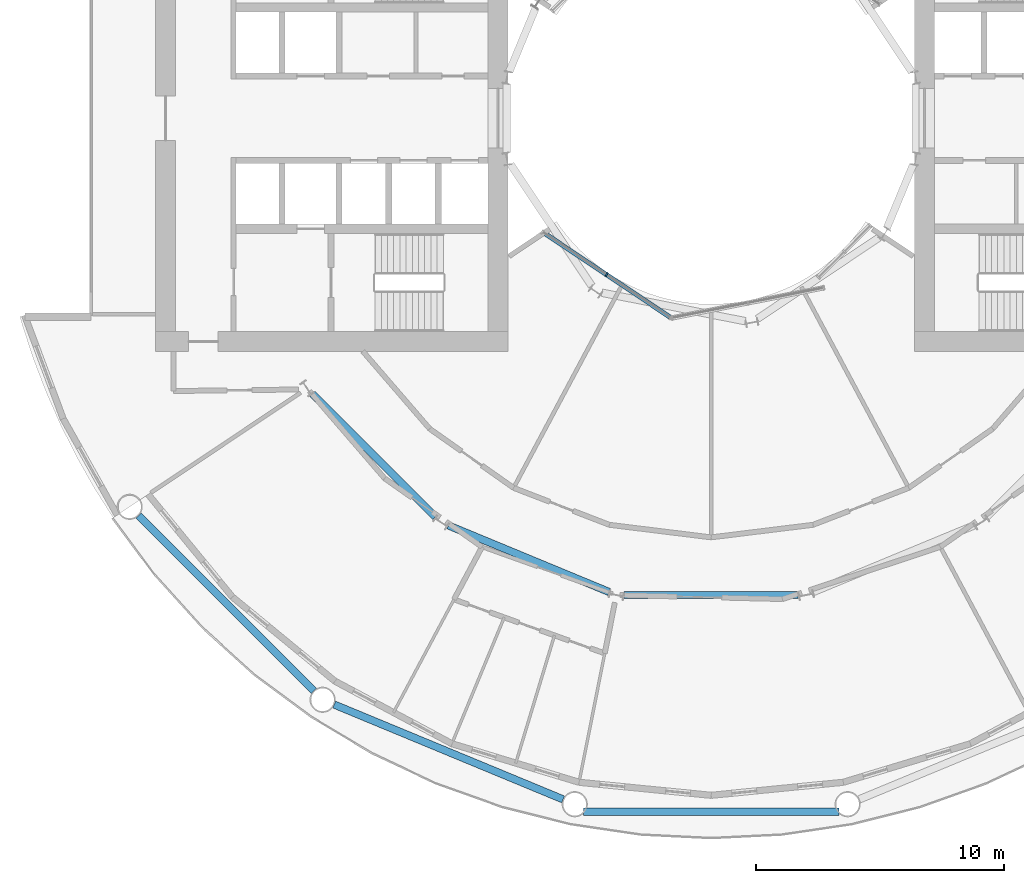
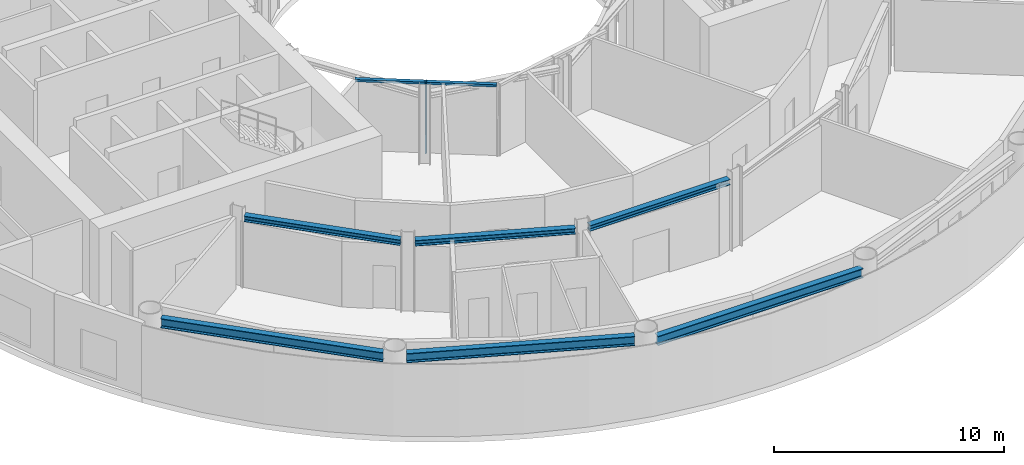
# One storey, part 4 of 19: 6 beams, 3 members, 1 element without a shape of its own.
"""IFC4 building model written with IfcOpenShell, lengths in metres."""

import ifcopenshell
import ifcopenshell.guid

model = None  # the IFC model being written
_history = None  # IfcOwnerHistory: only IFC2X3 demands one
_inside = {}  # id of a spatial element -> (the spatial element, [elements in it])
_under = {}  # id of a project, library or spatial element -> (it, [spatial elements below it])
_declared = {}  # id of a project -> (the project, [libraries it declares])
_typed = {}  # id of a type object -> (the type object, [elements of that type])
_made_of = {}  # id of a material, layer set ... -> (it, [elements and type objects made of it])


def new_model(schema):
    """Start an empty IFC model of exactly this schema.

    Asked for "IFC4X3", IfcOpenShell would pick the latest addendum, in which some entities
    have other attributes; the version numbers below select the first issue.
    IFC2X3 requires an IfcOwnerHistory on every rooted entity: one is made here for all.
    """
    global model, _history
    if schema == "IFC4X3":
        model = ifcopenshell.file(schema_version=(4, 3, 0, 0))
    else:
        model = ifcopenshell.file(schema=schema)
    _inside.clear()
    _under.clear()
    _declared.clear()
    _typed.clear()
    _made_of.clear()
    _history = None
    if model.schema == "IFC2X3":
        org = make("IfcOrganization", Name="unknown")
        user = make(
            "IfcPersonAndOrganization",
            ThePerson=make("IfcPerson", FamilyName="unknown"),
            TheOrganization=org,
        )
        app = make(
            "IfcApplication",
            ApplicationDeveloper=org,
            Version="unknown",
            ApplicationFullName="unknown",
            ApplicationIdentifier="unknown",
        )
        _history = make(
            "IfcOwnerHistory",
            OwningUser=user,
            OwningApplication=app,
            ChangeAction="ADDED",
            CreationDate=0,
        )
    return model


def make(cls, **values):
    """One entity of the class cls with the attributes given. An attribute that is None is left unset."""
    return model.create_entity(
        cls, **{name: value for name, value in values.items() if value is not None}
    )


def rooted(cls, **values):
    """An entity with a GlobalId (a new one), such as an element, a storey or a relation."""
    return make(cls, GlobalId=ifcopenshell.guid.new(), OwnerHistory=_history, **values)


def si_unit(unit_type, name, prefix=None):
    """IfcSIUnit, for example si_unit("LENGTHUNIT", "METRE", prefix="MILLI")."""
    return make("IfcSIUnit", UnitType=unit_type, Prefix=prefix, Name=name)


def assignment(units):
    """IfcUnitAssignment: the units of a project."""
    return None if units is None else make("IfcUnitAssignment", Units=units)


def point(xyz):
    """IfcCartesianPoint."""
    return None if xyz is None else make("IfcCartesianPoint", Coordinates=xyz)


def direction(xyz):
    """IfcDirection."""
    return None if xyz is None else make("IfcDirection", DirectionRatios=xyz)


def frame(location, z_axis=None, x_axis=None):
    """IfcAxis2Placement3D, a coordinate frame: its origin and axes. An axis left out is left unset."""
    return make(
        "IfcAxis2Placement3D",
        Location=point(location),
        Axis=direction(z_axis),
        RefDirection=direction(x_axis),
    )


def frame_2d(location, x_axis=None):
    """IfcAxis2Placement2D, a coordinate frame in the plane: its origin and x axis."""
    return make(
        "IfcAxis2Placement2D", Location=point(location), RefDirection=direction(x_axis)
    )


def origin():
    """The frame at (0, 0, 0) with its axes left unset."""
    return frame((0.0, 0.0, 0.0))


def origin_2d():
    """The frame at (0, 0) in the plane with its x axis left unset."""
    return frame_2d((0.0, 0.0))


def place(relative_to, where):
    """IfcLocalPlacement: puts the frame where relative to a parent placement (None: the world)."""
    return make(
        "IfcLocalPlacement", PlacementRelTo=relative_to, RelativePlacement=where
    )


def context(
    kind, dimensions, precision=None, world=None, true_north=None, identifier=None
):
    """IfcGeometricRepresentationContext, for example the 3D "Model" context."""
    return make(
        "IfcGeometricRepresentationContext",
        ContextIdentifier=identifier,
        ContextType=kind,
        CoordinateSpaceDimension=dimensions,
        Precision=precision,
        WorldCoordinateSystem=world,
        TrueNorth=true_north,
    )


def subcontext(parent, identifier, kind, view, scale=None):
    """IfcGeometricRepresentationSubContext, for example "Body" below "Model"."""
    return make(
        "IfcGeometricRepresentationSubContext",
        ContextIdentifier=identifier,
        ContextType=kind,
        ParentContext=parent,
        TargetScale=scale,
        TargetView=view,
    )


def project(units=None, contexts=None):
    """IfcProject with its units and contexts."""
    return rooted(
        "IfcProject",
        Name="project",
        RepresentationContexts=contexts,
        UnitsInContext=assignment(units),
    )


def spatial(cls, under=None, at=None, **own):
    """A site, building, storey or space (cls), placed at a placement, below another one or the project."""
    s = rooted(cls, ObjectPlacement=at, **own)
    if under is not None:
        _under.setdefault(under.id(), (under, []))[1].append(s)
    return s


def profile(cls, at=None, kind="AREA", **sizes):
    """A parametric profile (cls). Its sizes go by their IFC names, for example OverallWidth=200.0."""
    return make(cls, ProfileType=kind, Position=at, **sizes)


def rectangle(**sizes):
    """IfcRectangleProfileDef."""
    return profile("IfcRectangleProfileDef", **sizes)


def i_section(**sizes):
    """IfcIShapeProfileDef."""
    return profile("IfcIShapeProfileDef", **sizes)


def extrude(swept, where, along, depth):
    """IfcExtrudedAreaSolid: the profile swept, set in the frame where, extruded along a direction by depth."""
    return make(
        "IfcExtrudedAreaSolid",
        SweptArea=swept,
        Position=where,
        ExtrudedDirection=direction(along),
        Depth=depth,
    )


def shape(context_of_items, identifier, shape_type, items):
    """IfcShapeRepresentation: the items that make up one representation, for example the "Body"."""
    return make(
        "IfcShapeRepresentation",
        ContextOfItems=context_of_items,
        RepresentationIdentifier=identifier,
        RepresentationType=shape_type,
        Items=items,
    )


def material(Name=None, Category=None):
    """IfcMaterial."""
    return make("IfcMaterial", Name=Name, Category=Category)


def layer(
    of_material, thickness, ventilated=None, Name=None, Category=None, Priority=None
):
    """IfcMaterialLayer: one layer of a wall or slab, of a material (None: an air gap)."""
    return make(
        "IfcMaterialLayer",
        Material=of_material,
        LayerThickness=thickness,
        IsVentilated=ventilated,
        Name=Name,
        Category=Category,
        Priority=Priority,
    )


def layer_set(layers, Name=None):
    """IfcMaterialLayerSet."""
    return make("IfcMaterialLayerSet", MaterialLayers=layers, LayerSetName=Name)


def material_profile(
    of_material, cross_section, Name=None, Category=None, Priority=None
):
    """IfcMaterialProfile: a cross section and its material."""
    return make(
        "IfcMaterialProfile",
        Name=Name,
        Material=of_material,
        Profile=cross_section,
        Priority=Priority,
        Category=Category,
    )


def profile_set(profiles, Name=None, composite=None):
    """IfcMaterialProfileSet."""
    return make(
        "IfcMaterialProfileSet",
        Name=Name,
        MaterialProfiles=profiles,
        CompositeProfile=composite,
    )


def made_of(thing, what):
    """Note that an element or type object is made of a material, layer set ...; save() writes the relation."""
    if what is not None:
        _made_of.setdefault(what.id(), (what, []))[1].append(thing)
    return thing


def type_object(cls, material=None, **own):
    """A type object (cls), such as IfcWallType, which elements share."""
    return made_of(rooted(cls, **own), material)


def element(
    cls,
    number,
    at=None,
    inside=None,
    cuts=None,
    type_object=None,
    material=None,
    context=None,
    identifier="Body",
    shape_type=None,
    held_by="IfcProductDefinitionShape",
    body=None,
    shapes=None,
    **own,
):
    """One element of the class cls, such as IfcWall. Its Tag is "e" and its number.

    at: its placement. inside: the storey or other place that contains it. cuts: it is an
    opening in that element (IfcRelVoidsElement). A single representation is given by context,
    identifier, shape_type and body (its items); several are given by shapes. held_by: the class
    of the entity that holds the representations. save() writes the other relations.
    """
    e = rooted(cls, Tag="e%d" % number, ObjectPlacement=at, **own)
    if body is not None:
        shapes = [shape(context, identifier, shape_type, body)]
    if shapes is not None:
        e.Representation = make(held_by, Representations=shapes)
    if inside is not None:
        _inside.setdefault(inside.id(), (inside, []))[1].append(e)
    if cuts is not None:
        rooted(
            "IfcRelVoidsElement", RelatingBuildingElement=cuts, RelatedOpeningElement=e
        )
    if type_object is not None:
        _typed.setdefault(type_object.id(), (type_object, []))[1].append(e)
    return made_of(e, material)


def aggregate(whole, parts):
    """IfcRelAggregates: a whole, such as a stair, and the parts it consists of."""
    return rooted("IfcRelAggregates", RelatingObject=whole, RelatedObjects=parts)


def save(model, path):
    """Write the relations noted so far, then the file.

    IfcRelAggregates (storeys below a building ...), IfcRelContainedInSpatialStructure (elements
    in a storey), IfcRelDefinesByType, IfcRelAssociatesMaterial and IfcRelDeclares: one each for
    every whole, place, type object, material and project.
    """
    for whole, parts in _under.values():
        aggregate(whole, parts)
    for where, things in _inside.values():
        rooted(
            "IfcRelContainedInSpatialStructure",
            RelatedElements=things,
            RelatingStructure=where,
        )
    for kind, things in _typed.values():
        rooted("IfcRelDefinesByType", RelatedObjects=things, RelatingType=kind)
    for what, things in _made_of.values():
        rooted("IfcRelAssociatesMaterial", RelatedObjects=things, RelatingMaterial=what)
    for by, libraries in _declared.values():
        rooted("IfcRelDeclares", RelatingContext=by, RelatedDefinitions=libraries)
    model.write(path)


model = new_model("IFC4")

# Units and contexts
model_context = context("Model", 3, precision=1e-05, world=origin(), true_north=direction((0.0, 1.0)))
body_context = subcontext(model_context, "Body", "Model", "MODEL_VIEW")
ifc_project = project(units=[si_unit("LENGTHUNIT", "METRE"), si_unit("AREAUNIT", "SQUARE_METRE"), si_unit("VOLUMEUNIT", "CUBIC_METRE"), si_unit("PLANEANGLEUNIT", "RADIAN"), si_unit("MASSUNIT", "GRAM", prefix="KILO")], contexts=[model_context])

# Site, building, storey
site_placement = place(None, origin())
site = spatial("IfcSite", under=ifc_project, at=site_placement, CompositionType="ELEMENT")
building_placement = place(site_placement, origin())
building = spatial("IfcBuilding", under=site, at=building_placement, Name="Maasbend Ring Residences", CompositionType="ELEMENT")
storey_placement = place(building_placement, frame((0.0, 0.0, 53.300048828125)))
storey = spatial("IfcBuildingStorey", under=building, at=storey_placement, Name="L15", CompositionType="ELEMENT", Elevation=53.300048828125)

# Curtain wall, members
ifc_material_1 = material(Name="Aluminium and clear glass", Category="aluminium")
ifc_layer = layer(ifc_material_1, 0.179931640625)
ifc_layer_set = layer_set([ifc_layer], Name="CW-W")
curtain_wall_type = type_object("IfcCurtainWallType", Name="CW-W", PredefinedType="NOTDEFINED", material=ifc_layer_set)
curtain_wall_placement = place(storey_placement, origin())
curtain_wall = element("IfcCurtainWall", 1, at=curtain_wall_placement, inside=storey, type_object=curtain_wall_type, Name="Well curtain wall S1", PredefinedType="NOTDEFINED")
ifc_material_2 = material(Name="Aluminium 6063-T6", Category="aluminium")
ifc_material_profile_1 = material_profile(ifc_material_2, rectangle(XDim=0.179931640625, YDim=0.06005859375, at=origin_2d()), Name="AL 180x60")
ifc_profile_set_1 = profile_set([ifc_material_profile_1], Name="Aluminium 6063-T6")
member_type_1 = type_object("IfcMemberType", Name="CWM-W", PredefinedType="MULLION", material=ifc_profile_set_1)
member_1_placement = place(storey_placement, frame((-4.216796875, -6.310791015625, 0.0), z_axis=(0.0, 0.0, 1.0), x_axis=(0.55557023302, 0.831469612303, 0.0)))
member_1 = element("IfcMember", 2, at=member_1_placement, type_object=member_type_1, Name="Mullion well face", PredefinedType="MULLION", context=body_context, shape_type="SweptSolid", body=[
    extrude(rectangle(XDim=0.179931640625, YDim=0.06005859375, at=origin_2d()), origin(), (0.0, 0.0, 1.0), 3.800048828125),
])
ifc_material_3 = material(Name="Aluminium 6063-T6", Category="aluminium")
ifc_material_profile_2 = material_profile(ifc_material_3, rectangle(XDim=0.179931640625, YDim=0.1201171875, at=origin_2d()), Name="AL 180x120")
ifc_profile_set_2 = profile_set([ifc_material_profile_2], Name="Aluminium 6063-T6")
member_type_2 = type_object("IfcMemberType", Name="CWT-W", PredefinedType="USERDEFINED", material=ifc_profile_set_2)
member_2_placement = place(storey_placement, frame((-6.781005859375, -4.59765625, 3.739990234375), z_axis=(0.831496422459, -0.555530106689, 0.0), x_axis=(0.555530106689, 0.831496422459, 0.0)))
member_2 = element("IfcMember", 3, at=member_2_placement, type_object=member_type_2, Name="Transom well face", ObjectType="TRANSOM", PredefinedType="USERDEFINED", context=body_context, shape_type="SweptSolid", body=[
    extrude(rectangle(XDim=0.179931640625, YDim=0.1201171875, at=origin_2d()), origin(), (0.0, 0.0, 1.0), 3.053955078125),
])
member_3_placement = place(storey_placement, frame((-4.19189453125, -6.32763671875, 3.739990234375), z_axis=(0.831496422459, -0.555530106689, 0.0), x_axis=(0.555530106689, 0.831496422459, 0.0)))
member_3 = element("IfcMember", 4, at=member_3_placement, type_object=member_type_2, Name="Transom well face", ObjectType="TRANSOM", PredefinedType="USERDEFINED", context=body_context, shape_type="SweptSolid", body=[
    extrude(rectangle(XDim=0.179931640625, YDim=0.1201171875, at=origin_2d()), origin(), (0.0, 0.0, 1.0), 3.053955078125),
])
aggregate(curtain_wall, [member_1, member_2, member_3])

# Beams
ifc_material_4 = material(Name="Steel S355J2", Category="steel")
ifc_material_profile_3 = material_profile(ifc_material_4, i_section(OverallWidth=0.300048828125, OverallDepth=0.300048828125, WebThickness=0.010986328125, FlangeThickness=0.01904296875, FilletRadius=0.027099609375, at=origin_2d()), Name="HEB 300")
ifc_profile_set_3 = profile_set([ifc_material_profile_3], Name="Steel S355J2")
beam_type_1 = type_object("IfcBeamType", Name="Corridor ring beam HEB 300", PredefinedType="BEAM", material=ifc_profile_set_3)
beam_1_placement = place(storey_placement, frame((-16.0732421875, -11.11279296875, 3.64990234375), z_axis=(0.707106781187, -0.707106781187, 0.0), x_axis=(0.707106781187, 0.707106781187, 0.0)))
element("IfcBeam", 5, at=beam_1_placement, inside=storey, type_object=beam_type_1, Name="Corridor ring beam", PredefinedType="BEAM", context=body_context, shape_type="SweptSolid", body=[
    extrude(i_section(OverallWidth=0.300048828125, OverallDepth=0.300048828125, WebThickness=0.010986328125, FlangeThickness=0.01904296875, FilletRadius=0.027099609375, at=origin_2d()), origin(), (0.0, 0.0, 1.0), 7.01513671875),
])
beam_2_placement = place(storey_placement, frame((-10.59716796875, -16.417724609375, 3.64990234375), z_axis=(0.923886196809, -0.38266734293, 0.0), x_axis=(0.38266734293, 0.923886196809, 0.0)))
element("IfcBeam", 6, at=beam_2_placement, inside=storey, type_object=beam_type_1, Name="Corridor ring beam", PredefinedType="BEAM", context=body_context, shape_type="SweptSolid", body=[
    extrude(i_section(OverallWidth=0.300048828125, OverallDepth=0.300048828125, WebThickness=0.010986328125, FlangeThickness=0.01904296875, FilletRadius=0.027099609375, at=origin_2d()), origin(), (0.0, 0.0, 1.0), 7.015380859375),
])
beam_3_placement = place(storey_placement, frame((-3.5078125, -19.223388671875, 3.64990234375), z_axis=(1.0, 0.0, 0.0), x_axis=(0.0, 1.0, 0.0)))
element("IfcBeam", 7, at=beam_3_placement, inside=storey, type_object=beam_type_1, Name="Corridor ring beam", PredefinedType="BEAM", context=body_context, shape_type="SweptSolid", body=[
    extrude(i_section(OverallWidth=0.300048828125, OverallDepth=0.300048828125, WebThickness=0.010986328125, FlangeThickness=0.01904296875, FilletRadius=0.027099609375, at=origin_2d()), origin(), (0.0, 0.0, 1.0), 7.015625),
])
ifc_material_5 = material(Name="Steel S355J2", Category="steel")
ifc_material_profile_4 = material_profile(ifc_material_5, i_section(OverallWidth=0.300048828125, OverallDepth=0.5, WebThickness=0.014404296875, FlangeThickness=0.028076171875, FilletRadius=0.027099609375, at=origin_2d()), Name="HEB 500")
ifc_profile_set_4 = profile_set([ifc_material_profile_4], Name="Steel S355J2")
beam_type_2 = type_object("IfcBeamType", Name="Spandrel ring beam HEB 500", PredefinedType="SPANDREL", material=ifc_profile_set_4)
beam_4_placement = place(storey_placement, frame((-23.088134765625, -16.0263671875, 3.550048828125), z_axis=(0.707106781187, -0.707106781187, 0.0), x_axis=(0.707106781187, 0.707106781187, 0.0)))
element("IfcBeam", 8, at=beam_4_placement, inside=storey, type_object=beam_type_2, Name="Spandrel ring beam", PredefinedType="SPANDREL", context=body_context, shape_type="SweptSolid", body=[
    extrude(i_section(OverallWidth=0.300048828125, OverallDepth=0.5, WebThickness=0.014404296875, FlangeThickness=0.028076171875, FilletRadius=0.027099609375, at=origin_2d()), origin(), (0.0, 0.0, 1.0), 9.98681640625),
])
beam_5_placement = place(storey_placement, frame((-15.19775390625, -23.641845703125, 3.550048828125), z_axis=(0.923886337442, -0.382667003395, 0.0), x_axis=(0.382667003395, 0.923886337442, 0.0)))
element("IfcBeam", 9, at=beam_5_placement, inside=storey, type_object=beam_type_2, Name="Spandrel ring beam", PredefinedType="SPANDREL", context=body_context, shape_type="SweptSolid", body=[
    extrude(i_section(OverallWidth=0.300048828125, OverallDepth=0.5, WebThickness=0.014404296875, FlangeThickness=0.028076171875, FilletRadius=0.027099609375, at=origin_2d()), origin(), (0.0, 0.0, 1.0), 9.9873046875),
])
beam_6_placement = place(storey_placement, frame((-5.1435546875, -27.9580078125, 3.550048828125), z_axis=(1.0, 0.0, 0.0), x_axis=(0.0, 1.0, 0.0)))
element("IfcBeam", 10, at=beam_6_placement, inside=storey, type_object=beam_type_2, Name="Spandrel ring beam", PredefinedType="SPANDREL", context=body_context, shape_type="SweptSolid", body=[
    extrude(i_section(OverallWidth=0.300048828125, OverallDepth=0.5, WebThickness=0.014404296875, FlangeThickness=0.028076171875, FilletRadius=0.027099609375, at=origin_2d()), origin(), (0.0, 0.0, 1.0), 10.287109375),
])

save(model, "model.ifc")
